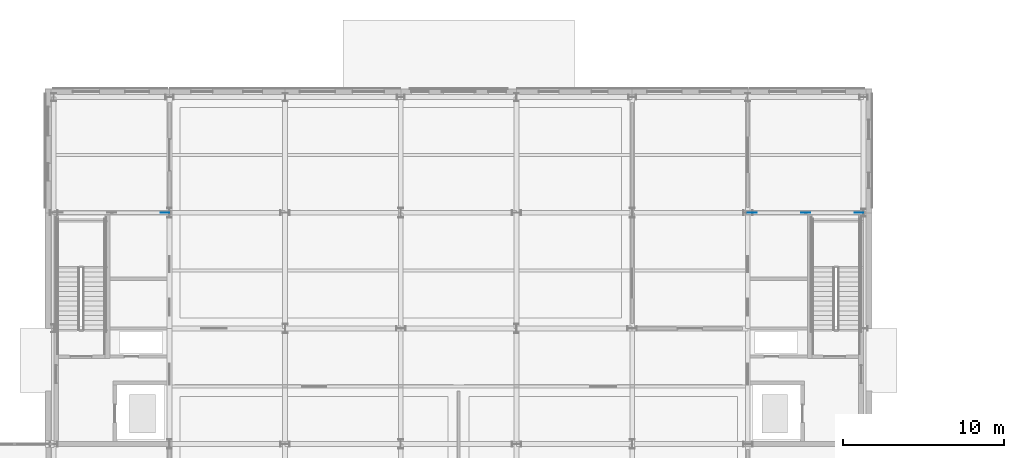
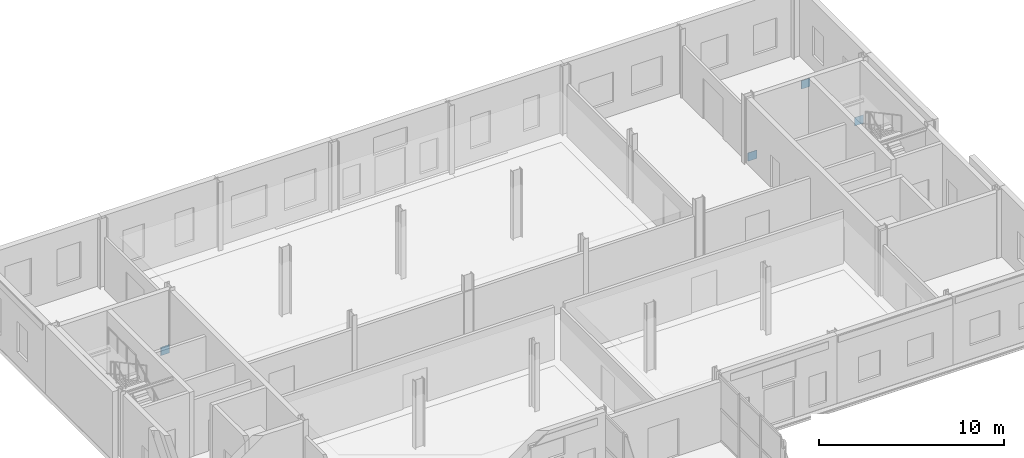
# One storey, part 51 of 92: 4 plates.
"""IFC4 building model written with IfcOpenShell, lengths in metres."""

from ifc_helpers import new_model, si_unit, direction, frame, origin, origin_2d, place, context, subcontext, project, spatial, rectangle, extrude, material, layer, layer_set, type_object, element, save


model = new_model("IFC4")

# Units and contexts
model_context = context("Model", 3, precision=1e-05, world=origin(), true_north=direction((0.0, 1.0)))
body_context = subcontext(model_context, "Body", "Model", "MODEL_VIEW")
ifc_project = project(units=[si_unit("LENGTHUNIT", "METRE"), si_unit("AREAUNIT", "SQUARE_METRE"), si_unit("VOLUMEUNIT", "CUBIC_METRE"), si_unit("PLANEANGLEUNIT", "RADIAN"), si_unit("MASSUNIT", "GRAM", prefix="KILO")], contexts=[model_context])

# Site, building, storey
site_placement = place(None, origin())
site = spatial("IfcSite", under=ifc_project, at=site_placement, CompositionType="ELEMENT")
building_placement = place(site_placement, origin())
building = spatial("IfcBuilding", under=site, at=building_placement, Name="Zlatovets Crest Museum", CompositionType="ELEMENT")
storey_placement = place(building_placement, origin())
storey = spatial("IfcBuildingStorey", under=building, at=storey_placement, Name="L00", CompositionType="ELEMENT", Elevation=0.0)

# Plates
ifc_material = material(Name="Structural steel S355J2", Category="steel")
ifc_layer = layer(ifc_material, 0.02490234375)
ifc_layer_set = layer_set([ifc_layer], Name="Structural steel S355J2")
plate_type = type_object("IfcPlateType", Name="Gusset_GP-01", PredefinedType="USERDEFINED", material=ifc_layer_set)
for number, where, z_axis, x_axis, name in (
    (1, (64.52001953125, 108.0, 0.0048828125), (0.0, 0.0, 1.0), (1.0, 0.0, 0.0), "V1 L00 Brace End Gusset Plate GP-01"),
    (2, (101.080078125, 108.0, 0.0048828125), (0.0, 0.0, 1.0), (1.0, 0.0, 0.0), "V1 L00 Brace End Gusset Plate GP-01"),
    (3, (107.719970703125, 108.0, 0.0048828125), (0.0, 0.0, 1.0), (1.0, 0.0, 0.0), "V1 L00 Brace End Gusset Plate GP-01"),
    (4, (104.39990234375, 108.0, 3.59521484375), (0.0, 0.0, 1.0), (1.0, 0.0, 0.0), "V1 L00 Brace End Gusset Plate GP-01"),
):
    element("IfcPlate", number, at=place(storey_placement, frame(where, z_axis=z_axis, x_axis=x_axis)), inside=storey, type_object=plate_type, Name=name, ObjectType="GUSSET", PredefinedType="USERDEFINED", context=body_context, shape_type="SweptSolid", body=[
        extrude(rectangle(XDim=0.550048828125, YDim=0.02490234375, at=origin_2d()), origin(), (0.0, 0.0, 1.0), 0.550048828125),
    ])

save(model, "model.ifc")
